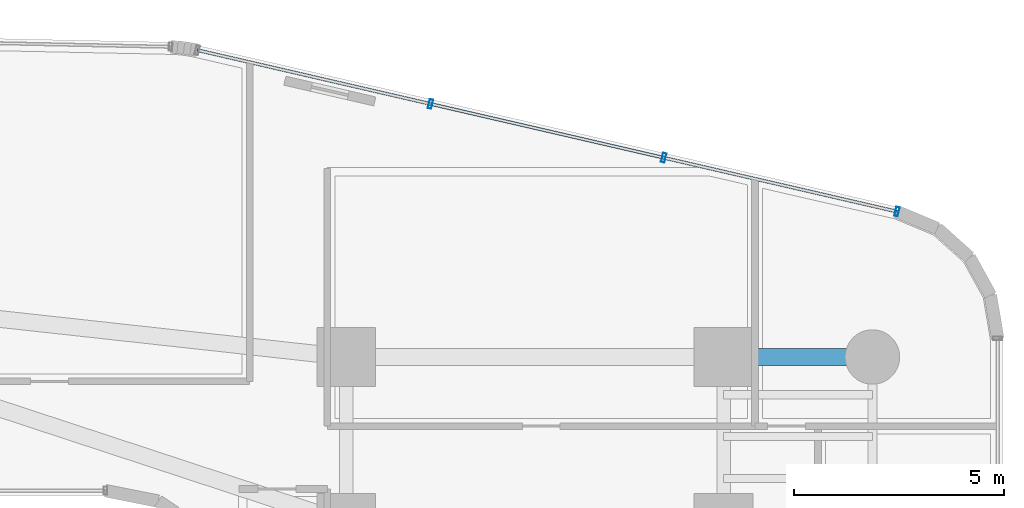
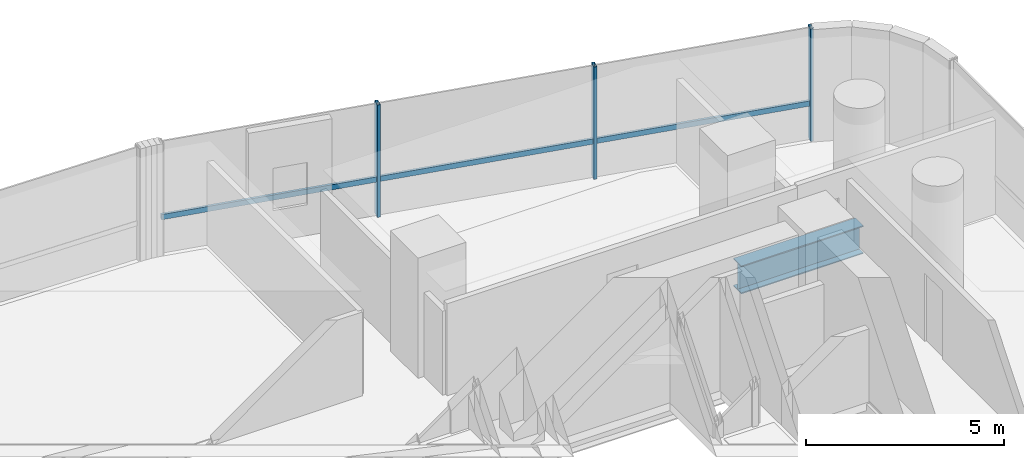
# One storey, part 23 of 38: 4 members, 1 beam, 1 element without a shape of its own.
"""IFC4 building model written with IfcOpenShell, lengths in metres."""

import ifcopenshell
import ifcopenshell.guid

model = None  # the IFC model being written
_history = None  # IfcOwnerHistory: only IFC2X3 demands one
_inside = {}  # id of a spatial element -> (the spatial element, [elements in it])
_under = {}  # id of a project, library or spatial element -> (it, [spatial elements below it])
_declared = {}  # id of a project -> (the project, [libraries it declares])
_typed = {}  # id of a type object -> (the type object, [elements of that type])
_made_of = {}  # id of a material, layer set ... -> (it, [elements and type objects made of it])


def new_model(schema):
    """Start an empty IFC model of exactly this schema.

    Asked for "IFC4X3", IfcOpenShell would pick the latest addendum, in which some entities
    have other attributes; the version numbers below select the first issue.
    IFC2X3 requires an IfcOwnerHistory on every rooted entity: one is made here for all.
    """
    global model, _history
    if schema == "IFC4X3":
        model = ifcopenshell.file(schema_version=(4, 3, 0, 0))
    else:
        model = ifcopenshell.file(schema=schema)
    _inside.clear()
    _under.clear()
    _declared.clear()
    _typed.clear()
    _made_of.clear()
    _history = None
    if model.schema == "IFC2X3":
        org = make("IfcOrganization", Name="unknown")
        user = make(
            "IfcPersonAndOrganization",
            ThePerson=make("IfcPerson", FamilyName="unknown"),
            TheOrganization=org,
        )
        app = make(
            "IfcApplication",
            ApplicationDeveloper=org,
            Version="unknown",
            ApplicationFullName="unknown",
            ApplicationIdentifier="unknown",
        )
        _history = make(
            "IfcOwnerHistory",
            OwningUser=user,
            OwningApplication=app,
            ChangeAction="ADDED",
            CreationDate=0,
        )
    return model


def make(cls, **values):
    """One entity of the class cls with the attributes given. An attribute that is None is left unset."""
    return model.create_entity(
        cls, **{name: value for name, value in values.items() if value is not None}
    )


def rooted(cls, **values):
    """An entity with a GlobalId (a new one), such as an element, a storey or a relation."""
    return make(cls, GlobalId=ifcopenshell.guid.new(), OwnerHistory=_history, **values)


def si_unit(unit_type, name, prefix=None):
    """IfcSIUnit, for example si_unit("LENGTHUNIT", "METRE", prefix="MILLI")."""
    return make("IfcSIUnit", UnitType=unit_type, Prefix=prefix, Name=name)


def assignment(units):
    """IfcUnitAssignment: the units of a project."""
    return None if units is None else make("IfcUnitAssignment", Units=units)


def point(xyz):
    """IfcCartesianPoint."""
    return None if xyz is None else make("IfcCartesianPoint", Coordinates=xyz)


def direction(xyz):
    """IfcDirection."""
    return None if xyz is None else make("IfcDirection", DirectionRatios=xyz)


def frame(location, z_axis=None, x_axis=None):
    """IfcAxis2Placement3D, a coordinate frame: its origin and axes. An axis left out is left unset."""
    return make(
        "IfcAxis2Placement3D",
        Location=point(location),
        Axis=direction(z_axis),
        RefDirection=direction(x_axis),
    )


def frame_2d(location, x_axis=None):
    """IfcAxis2Placement2D, a coordinate frame in the plane: its origin and x axis."""
    return make(
        "IfcAxis2Placement2D", Location=point(location), RefDirection=direction(x_axis)
    )


def origin():
    """The frame at (0, 0, 0) with its axes left unset."""
    return frame((0.0, 0.0, 0.0))


def origin_2d():
    """The frame at (0, 0) in the plane with its x axis left unset."""
    return frame_2d((0.0, 0.0))


def place(relative_to, where):
    """IfcLocalPlacement: puts the frame where relative to a parent placement (None: the world)."""
    return make(
        "IfcLocalPlacement", PlacementRelTo=relative_to, RelativePlacement=where
    )


def context(
    kind, dimensions, precision=None, world=None, true_north=None, identifier=None
):
    """IfcGeometricRepresentationContext, for example the 3D "Model" context."""
    return make(
        "IfcGeometricRepresentationContext",
        ContextIdentifier=identifier,
        ContextType=kind,
        CoordinateSpaceDimension=dimensions,
        Precision=precision,
        WorldCoordinateSystem=world,
        TrueNorth=true_north,
    )


def subcontext(parent, identifier, kind, view, scale=None):
    """IfcGeometricRepresentationSubContext, for example "Body" below "Model"."""
    return make(
        "IfcGeometricRepresentationSubContext",
        ContextIdentifier=identifier,
        ContextType=kind,
        ParentContext=parent,
        TargetScale=scale,
        TargetView=view,
    )


def project(units=None, contexts=None):
    """IfcProject with its units and contexts."""
    return rooted(
        "IfcProject",
        Name="project",
        RepresentationContexts=contexts,
        UnitsInContext=assignment(units),
    )


def spatial(cls, under=None, at=None, **own):
    """A site, building, storey or space (cls), placed at a placement, below another one or the project."""
    s = rooted(cls, ObjectPlacement=at, **own)
    if under is not None:
        _under.setdefault(under.id(), (under, []))[1].append(s)
    return s


def profile(cls, at=None, kind="AREA", **sizes):
    """A parametric profile (cls). Its sizes go by their IFC names, for example OverallWidth=200.0."""
    return make(cls, ProfileType=kind, Position=at, **sizes)


def hollow_rectangle(**sizes):
    """IfcRectangleHollowProfileDef."""
    return profile("IfcRectangleHollowProfileDef", **sizes)


def i_section(**sizes):
    """IfcIShapeProfileDef."""
    return profile("IfcIShapeProfileDef", **sizes)


def extrude(swept, where, along, depth):
    """IfcExtrudedAreaSolid: the profile swept, set in the frame where, extruded along a direction by depth."""
    return make(
        "IfcExtrudedAreaSolid",
        SweptArea=swept,
        Position=where,
        ExtrudedDirection=direction(along),
        Depth=depth,
    )


def shape(context_of_items, identifier, shape_type, items):
    """IfcShapeRepresentation: the items that make up one representation, for example the "Body"."""
    return make(
        "IfcShapeRepresentation",
        ContextOfItems=context_of_items,
        RepresentationIdentifier=identifier,
        RepresentationType=shape_type,
        Items=items,
    )


def source(mapping_origin, context_of_items, identifier, shape_type, items):
    """IfcRepresentationMap: a shape defined once, which mapped items show again and again."""
    return make(
        "IfcRepresentationMap",
        MappingOrigin=mapping_origin,
        MappedRepresentation=shape(context_of_items, identifier, shape_type, items),
    )


def transform(
    local_origin,
    x_axis=None,
    y_axis=None,
    z_axis=None,
    scale=None,
    scale2=None,
    scale3=None,
    uniform=True,
):
    """IfcCartesianTransformationOperator3D, or its non-uniform kind. x_axis, y_axis, z_axis: its Axis1, 2, 3."""
    if uniform:
        return make(
            "IfcCartesianTransformationOperator3D",
            Axis1=direction(x_axis),
            Axis2=direction(y_axis),
            LocalOrigin=point(local_origin),
            Scale=scale,
            Axis3=direction(z_axis),
        )
    return make(
        "IfcCartesianTransformationOperator3DnonUniform",
        Axis1=direction(x_axis),
        Axis2=direction(y_axis),
        LocalOrigin=point(local_origin),
        Scale=scale,
        Axis3=direction(z_axis),
        Scale2=scale2,
        Scale3=scale3,
    )


def mapped(mapping_source, mapping_target):
    """IfcMappedItem: shows the shape of a source again, moved by a transform."""
    return make(
        "IfcMappedItem", MappingSource=mapping_source, MappingTarget=mapping_target
    )


def material(Name=None, Category=None):
    """IfcMaterial."""
    return make("IfcMaterial", Name=Name, Category=Category)


def material_profile(
    of_material, cross_section, Name=None, Category=None, Priority=None
):
    """IfcMaterialProfile: a cross section and its material."""
    return make(
        "IfcMaterialProfile",
        Name=Name,
        Material=of_material,
        Profile=cross_section,
        Priority=Priority,
        Category=Category,
    )


def profile_set(profiles, Name=None, composite=None):
    """IfcMaterialProfileSet."""
    return make(
        "IfcMaterialProfileSet",
        Name=Name,
        MaterialProfiles=profiles,
        CompositeProfile=composite,
    )


def made_of(thing, what):
    """Note that an element or type object is made of a material, layer set ...; save() writes the relation."""
    if what is not None:
        _made_of.setdefault(what.id(), (what, []))[1].append(thing)
    return thing


def type_object(cls, material=None, **own):
    """A type object (cls), such as IfcWallType, which elements share."""
    return made_of(rooted(cls, **own), material)


def element(
    cls,
    number,
    at=None,
    inside=None,
    cuts=None,
    type_object=None,
    material=None,
    context=None,
    identifier="Body",
    shape_type=None,
    held_by="IfcProductDefinitionShape",
    body=None,
    shapes=None,
    **own,
):
    """One element of the class cls, such as IfcWall. Its Tag is "e" and its number.

    at: its placement. inside: the storey or other place that contains it. cuts: it is an
    opening in that element (IfcRelVoidsElement). A single representation is given by context,
    identifier, shape_type and body (its items); several are given by shapes. held_by: the class
    of the entity that holds the representations. save() writes the other relations.
    """
    e = rooted(cls, Tag="e%d" % number, ObjectPlacement=at, **own)
    if body is not None:
        shapes = [shape(context, identifier, shape_type, body)]
    if shapes is not None:
        e.Representation = make(held_by, Representations=shapes)
    if inside is not None:
        _inside.setdefault(inside.id(), (inside, []))[1].append(e)
    if cuts is not None:
        rooted(
            "IfcRelVoidsElement", RelatingBuildingElement=cuts, RelatedOpeningElement=e
        )
    if type_object is not None:
        _typed.setdefault(type_object.id(), (type_object, []))[1].append(e)
    return made_of(e, material)


def aggregate(whole, parts):
    """IfcRelAggregates: a whole, such as a stair, and the parts it consists of."""
    return rooted("IfcRelAggregates", RelatingObject=whole, RelatedObjects=parts)


def save(model, path):
    """Write the relations noted so far, then the file.

    IfcRelAggregates (storeys below a building ...), IfcRelContainedInSpatialStructure (elements
    in a storey), IfcRelDefinesByType, IfcRelAssociatesMaterial and IfcRelDeclares: one each for
    every whole, place, type object, material and project.
    """
    for whole, parts in _under.values():
        aggregate(whole, parts)
    for where, things in _inside.values():
        rooted(
            "IfcRelContainedInSpatialStructure",
            RelatedElements=things,
            RelatingStructure=where,
        )
    for kind, things in _typed.values():
        rooted("IfcRelDefinesByType", RelatedObjects=things, RelatingType=kind)
    for what, things in _made_of.values():
        rooted("IfcRelAssociatesMaterial", RelatedObjects=things, RelatingMaterial=what)
    for by, libraries in _declared.values():
        rooted("IfcRelDeclares", RelatingContext=by, RelatedDefinitions=libraries)
    model.write(path)


model = new_model("IFC4")

# Units and contexts
model_context = context("Model", 3, precision=1e-05, world=origin(), true_north=direction((0.0, 1.0)))
body_context = subcontext(model_context, "Body", "Model", "MODEL_VIEW")
ifc_project = project(units=[si_unit("LENGTHUNIT", "METRE"), si_unit("AREAUNIT", "SQUARE_METRE"), si_unit("VOLUMEUNIT", "CUBIC_METRE"), si_unit("PLANEANGLEUNIT", "RADIAN"), si_unit("MASSUNIT", "GRAM", prefix="KILO")], contexts=[model_context])

# Site, building, storey
site_placement = place(None, origin())
site = spatial("IfcSite", under=ifc_project, at=site_placement, CompositionType="ELEMENT")
building_placement = place(site_placement, origin())
building = spatial("IfcBuilding", under=site, at=building_placement, Name="Valdorenza Pilgrim Sanctuary Tower", CompositionType="ELEMENT")
storey_placement = place(building_placement, frame((0.0, 0.0, 37.10009765625)))
storey = spatial("IfcBuildingStorey", under=building, at=storey_placement, Name="L08", CompositionType="ELEMENT", Elevation=37.10009765625)

# Beam
ifc_material_1 = material(Name="Steel ASTM A992 Grade 50", Category="steel")
ifc_material_profile_1 = material_profile(ifc_material_1, i_section(OverallWidth=0.39990234375, OverallDepth=0.862060546875, WebThickness=0.019775390625, FlangeThickness=0.032470703125, at=origin_2d()), Name="W33X221")
ifc_profile_set_1 = profile_set([ifc_material_profile_1], Name="Steel ASTM A992 Grade 50")
beam_type = type_object("IfcBeamType", Name="STR-BM-GRD-W33", PredefinedType="BEAM", material=ifc_profile_set_1)
shared_shape_1 = source(origin(), body_context, "Body", "SweptSolid", [
    extrude(i_section(OverallWidth=0.39990234375, OverallDepth=0.862060546875, WebThickness=0.019775390625, FlangeThickness=0.032470703125, at=origin_2d()), origin(), (0.0, 0.0, 1.0), 3.5498046875),
])
beam_placement = place(storey_placement, frame((24.85009765625, 13.5, -0.671142578125), z_axis=(1.0, 0.0, 0.0), x_axis=(0.0, 1.0, 0.0)))
element("IfcBeam", 1, at=beam_placement, inside=storey, type_object=beam_type, Name="L08 Floor Girder WB-XE-N2", PredefinedType="BEAM", context=body_context, shape_type="MappedRepresentation", body=[
    mapped(shared_shape_1, transform((0.0, 0.0, 0.0), x_axis=(1.0, 0.0, 0.0), y_axis=(0.0, 1.0, 0.0), z_axis=(0.0, 0.0, 1.0), scale=1.0)),
])

# Curtain wall, members
ifc_material_2 = material(Name="Curtain-wall IGU glazing", Category="glass")
curtain_wall_type = type_object("IfcCurtainWallType", Name="CW-SYS-03", PredefinedType="NOTDEFINED", material=ifc_material_2)
curtain_wall_placement = place(storey_placement, origin())
curtain_wall = element("IfcCurtainWall", 2, at=curtain_wall_placement, inside=storey, type_object=curtain_wall_type, Name="L08 Curtain Wall CW-L08-1-16", PredefinedType="NOTDEFINED")
ifc_material_3 = material(Name="Anodised aluminium AW-6060", Category="aluminium")
ifc_material_profile_2 = material_profile(ifc_material_3, hollow_rectangle(XDim=0.0849609375, YDim=0.219970703125, WallThickness=0.0048828125, at=origin_2d()), Name="ALU-M 220x85x5")
ifc_profile_set_2 = profile_set([ifc_material_profile_2], Name="Anodised aluminium AW-6060")
member_type_1 = type_object("IfcMemberType", Name="CW-MUL-03", PredefinedType="MULLION", material=ifc_profile_set_2)
shared_shape_2 = source(origin(), body_context, "Body", "SweptSolid", [
    extrude(hollow_rectangle(XDim=0.0849609375, YDim=0.219970703125, WallThickness=0.0048828125, at=origin_2d()), origin(), (0.0, 0.0, 1.0), 3.4599609375),
])
member_1_placement = place(storey_placement, frame((17.861328125, 19.534423828125, 0.0), z_axis=(0.0, 0.0, 1.0), x_axis=(0.974389691758, -0.224866023659, 0.0)))
member_1 = element("IfcMember", 3, at=member_1_placement, type_object=member_type_1, Name="CW-L08-1-16 Mullion 2", PredefinedType="MULLION", context=body_context, shape_type="MappedRepresentation", body=[
    mapped(shared_shape_2, transform((0.0, 0.0, 0.0), x_axis=(1.0, 0.0, 0.0), y_axis=(0.0, 1.0, 0.0), z_axis=(0.0, 0.0, 1.0), scale=1.0)),
])
member_2_placement = place(storey_placement, frame((23.423583984375, 18.2509765625, 0.0), z_axis=(0.0, 0.0, 1.0), x_axis=(0.974389691758, -0.224866023659, 0.0)))
member_2 = element("IfcMember", 4, at=member_2_placement, type_object=member_type_1, Name="CW-L08-1-16 Mullion 3", PredefinedType="MULLION", context=body_context, shape_type="MappedRepresentation", body=[
    mapped(shared_shape_2, transform((0.0, 0.0, 0.0), x_axis=(1.0, 0.0, 0.0), y_axis=(0.0, 1.0, 0.0), z_axis=(0.0, 0.0, 1.0), scale=1.0)),
])
member_3_placement = place(storey_placement, frame((28.98583984375, 16.96728515625, 0.0), z_axis=(0.0, 0.0, 1.0), x_axis=(0.974389691758, -0.224866023659, 0.0)))
member_3 = element("IfcMember", 5, at=member_3_placement, type_object=member_type_1, Name="CW-L08-1-16 Mullion 4", PredefinedType="MULLION", context=body_context, shape_type="MappedRepresentation", body=[
    mapped(shared_shape_2, transform((0.0, 0.0, 0.0), x_axis=(1.0, 0.0, 0.0), y_axis=(0.0, 1.0, 0.0), z_axis=(0.0, 0.0, 1.0), scale=1.0)),
])
ifc_material_profile_3 = material_profile(ifc_material_3, hollow_rectangle(XDim=0.074951171875, YDim=0.159912109375, WallThickness=0.00390625, at=origin_2d()), Name="ALU-T 160x75x4")
ifc_profile_set_3 = profile_set([ifc_material_profile_3], Name="Anodised aluminium AW-6060")
member_type_2 = type_object("IfcMemberType", Name="CW-TRN-03", PredefinedType="USERDEFINED", material=ifc_profile_set_3)
shared_shape_3 = source(origin(), body_context, "Body", "SweptSolid", [
    extrude(hollow_rectangle(XDim=0.074951171875, YDim=0.159912109375, WallThickness=0.00390625, at=origin_2d()), origin(), (0.0, 0.0, 1.0), 17.125244140625),
])
member_4_placement = place(storey_placement, frame((12.299072265625, 20.818115234375, 1.119873046875), z_axis=(0.974390715149, -0.224861589051, 0.0), x_axis=(0.224861589051, 0.974390715149, 0.0)))
member_4 = element("IfcMember", 6, at=member_4_placement, type_object=member_type_2, Name="CW-L08-1-16 Transom 1", ObjectType="TRANSOM", PredefinedType="USERDEFINED", context=body_context, shape_type="MappedRepresentation", body=[
    mapped(shared_shape_3, transform((0.0, 0.0, 0.0), x_axis=(1.0, 0.0, 0.0), y_axis=(0.0, 1.0, 0.0), z_axis=(0.0, 0.0, 1.0), scale=1.0)),
])
aggregate(curtain_wall, [member_1, member_2, member_3, member_4])

save(model, "model.ifc")
